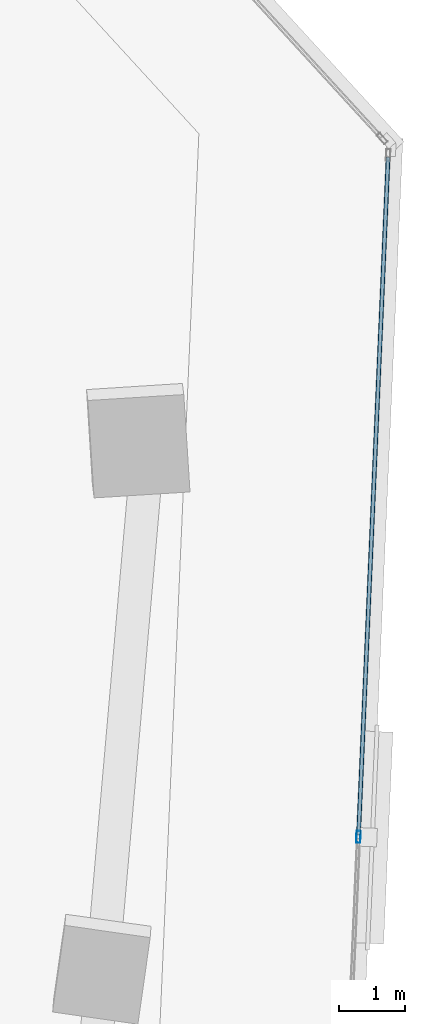
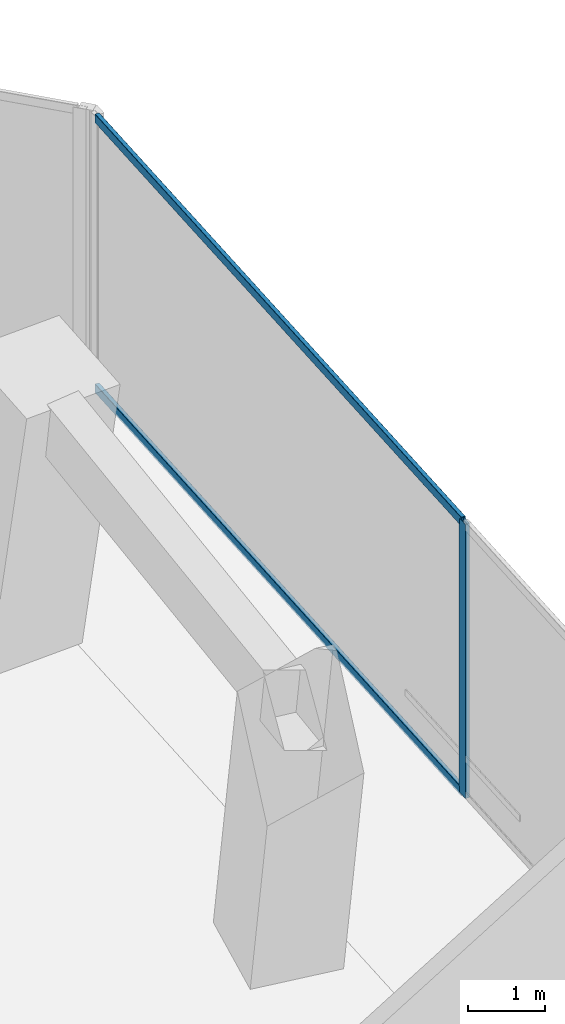
# One storey, part 13 of 26: 3 members, 1 element without a shape of its own.
"""IFC4 building model written with IfcOpenShell, lengths in metres."""

from ifc_helpers import new_model, si_unit, direction, frame, origin, origin_2d, place, context, subcontext, project, spatial, hollow_rectangle, extrude, source, transform, mapped, material, material_profile, profile_set, type_object, element, aggregate, save


model = new_model("IFC4")

# Units and contexts
model_context = context("Model", 3, precision=1e-05, world=origin(), true_north=direction((0.0, 1.0)))
body_context = subcontext(model_context, "Body", "Model", "MODEL_VIEW")
ifc_project = project(units=[si_unit("LENGTHUNIT", "METRE"), si_unit("AREAUNIT", "SQUARE_METRE"), si_unit("VOLUMEUNIT", "CUBIC_METRE"), si_unit("PLANEANGLEUNIT", "RADIAN"), si_unit("MASSUNIT", "GRAM", prefix="KILO")], contexts=[model_context])

# Site, building, storey
site_placement = place(None, origin())
site = spatial("IfcSite", under=ifc_project, at=site_placement, CompositionType="ELEMENT")
building_placement = place(site_placement, origin())
building = spatial("IfcBuilding", under=site, at=building_placement, Name="Torre Montelarca", CompositionType="ELEMENT")
storey_placement = place(building_placement, frame((0.0, 0.0, 42.39990234375)))
storey = spatial("IfcBuildingStorey", under=building, at=storey_placement, Name="L09", CompositionType="ELEMENT", Elevation=42.39990234375)

# Curtain wall, members
ifc_material_1 = material(Name="Insulated low-E laminated glass", Category="glass")
curtain_wall_type = type_object("IfcCurtainWallType", Name="CW-SYS-Z1", PredefinedType="USERDEFINED", material=ifc_material_1)
curtain_wall_placement = place(storey_placement, origin())
curtain_wall = element("IfcCurtainWall", 1, at=curtain_wall_placement, inside=storey, type_object=curtain_wall_type, Name="L09 Curtain Wall Run CW-T3-L09-E06-B1", ObjectType="UNITISED GLAZING", PredefinedType="USERDEFINED")
ifc_material_2 = material(Name="Anodised aluminium AA 6063-T6", Category="aluminium")
ifc_material_profile_1 = material_profile(ifc_material_2, hollow_rectangle(XDim=0.06494140625, YDim=0.179931640625, WallThickness=0.00390625, InnerFilletRadius=0.00390625, OuterFilletRadius=0.008056640625, at=origin_2d()), Name="ALU65X180X4", Category="aluminium")
ifc_profile_set_1 = profile_set([ifc_material_profile_1], Name="Anodised aluminium AA 6063-T6")
member_type_1 = type_object("IfcMemberType", Name="CWM-ALU180", PredefinedType="MULLION", material=ifc_profile_set_1)
shared_shape_1 = source(origin(), body_context, "Body", "SweptSolid", [
    extrude(hollow_rectangle(XDim=0.06494140625, YDim=0.179931640625, WallThickness=0.00390625, InnerFilletRadius=0.00390625, OuterFilletRadius=0.008056640625, at=origin_2d()), origin(), (0.0, 0.0, 1.0), 4.320068359375),
])
member_1_placement = place(storey_placement, frame((63.7822265625, 31.35498046875, 0.0), z_axis=(0.0, 0.0, 1.0), x_axis=(-0.999048300322, 0.043617583889, 0.0)))
member_1 = element("IfcMember", 2, at=member_1_placement, type_object=member_type_1, Name="CW mullion 2", PredefinedType="MULLION", context=body_context, shape_type="MappedRepresentation", body=[
    mapped(shared_shape_1, transform((0.0, 0.0, 0.0), scale=1.0)),
])
ifc_material_profile_2 = material_profile(ifc_material_2, hollow_rectangle(XDim=0.06494140625, YDim=0.139892578125, WallThickness=0.00390625, InnerFilletRadius=0.00390625, OuterFilletRadius=0.008056640625, at=origin_2d()), Name="ALU65X140X4", Category="aluminium")
ifc_profile_set_2 = profile_set([ifc_material_profile_2], Name="Anodised aluminium AA 6063-T6")
member_type_2 = type_object("IfcMemberType", Name="CWT-ALU140", PredefinedType="USERDEFINED", material=ifc_profile_set_2)
shared_shape_2 = source(origin(), body_context, "Body", "SweptSolid", [
    extrude(hollow_rectangle(XDim=0.06494140625, YDim=0.139892578125, WallThickness=0.00390625, InnerFilletRadius=0.00390625, OuterFilletRadius=0.008056640625, at=origin_2d()), origin(), (0.0, 0.0, 1.0), 10.23681640625),
])
member_2_placement = place(storey_placement, frame((63.783447265625, 31.387451171875, 0.03271484375), z_axis=(0.043620413353, 0.999048176786, 0.0), x_axis=(-0.999048176786, 0.043620413353, 0.0)))
member_2 = element("IfcMember", 3, at=member_2_placement, type_object=member_type_2, Name="CW transom 2.1", ObjectType="TRANSOM", PredefinedType="USERDEFINED", context=body_context, shape_type="MappedRepresentation", body=[
    mapped(shared_shape_2, transform((0.0, 0.0, 0.0), scale=1.0)),
])
member_3_placement = place(storey_placement, frame((63.783447265625, 31.387451171875, 4.28759765625), z_axis=(0.043620413353, 0.999048176786, 0.0), x_axis=(-0.999048176786, 0.043620413353, 0.0)))
member_3 = element("IfcMember", 4, at=member_3_placement, type_object=member_type_2, Name="CW transom 2.2", ObjectType="TRANSOM", PredefinedType="USERDEFINED", context=body_context, shape_type="MappedRepresentation", body=[
    mapped(shared_shape_2, transform((0.0, 0.0, 0.0), scale=1.0)),
])
aggregate(curtain_wall, [member_1, member_2, member_3])

save(model, "model.ifc")
